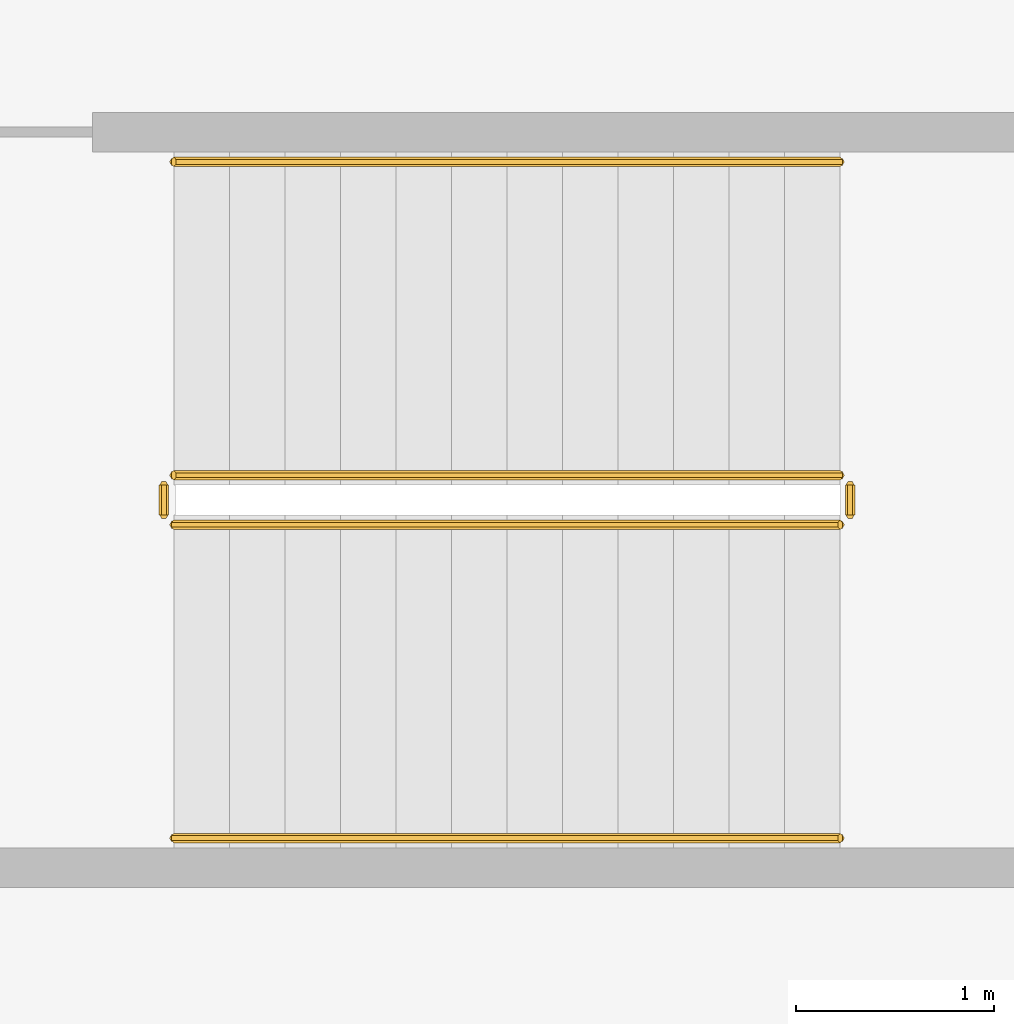
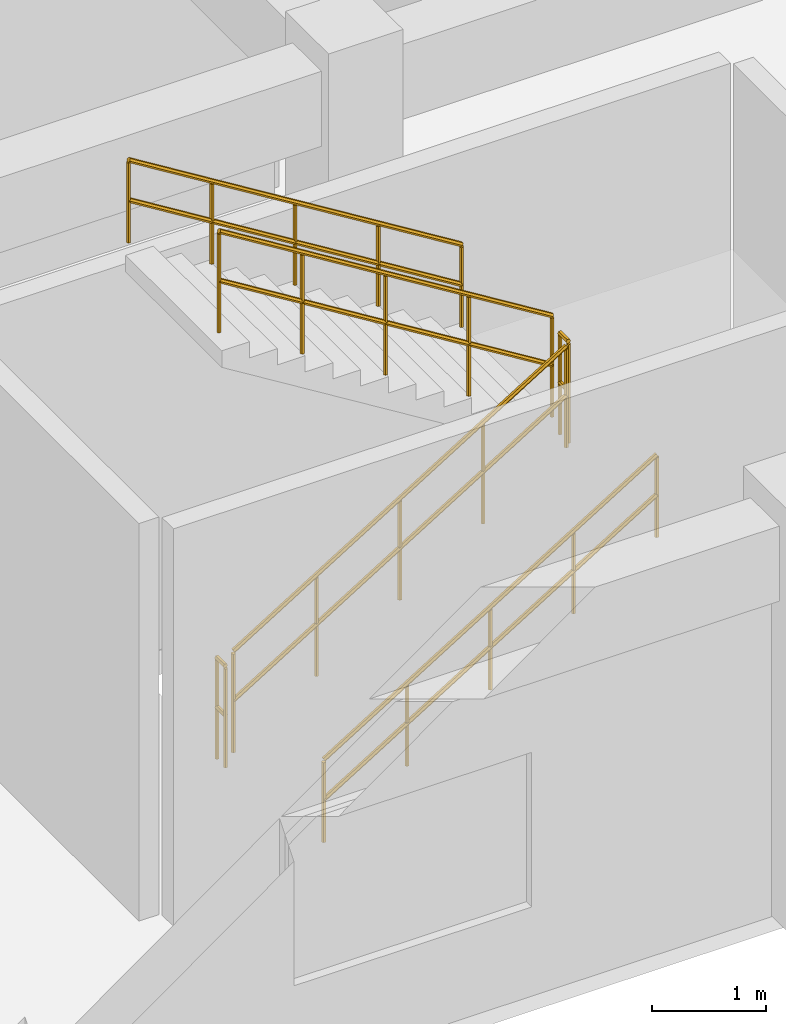
# One storey, part 47 of 53: 6 railings.
"""IFC4 building model written with IfcOpenShell, lengths in metres."""

from ifc_helpers import new_model, si_unit, direction, frame, origin, place, context, subcontext, project, spatial, polyline, outline, extrude, material, type_object, element, save


model = new_model("IFC4")

# Units and contexts
model_context = context("Model", 3, precision=1e-05, world=origin(), true_north=direction((0.0, 1.0)))
body_context = subcontext(model_context, "Body", "Model", "MODEL_VIEW")
ifc_project = project(units=[si_unit("LENGTHUNIT", "METRE"), si_unit("AREAUNIT", "SQUARE_METRE"), si_unit("VOLUMEUNIT", "CUBIC_METRE"), si_unit("PLANEANGLEUNIT", "RADIAN"), si_unit("MASSUNIT", "GRAM", prefix="KILO")], contexts=[model_context])

# Site, building, storey
site_placement = place(None, origin())
site = spatial("IfcSite", under=ifc_project, at=site_placement, CompositionType="ELEMENT")
building_placement = place(site_placement, origin())
building = spatial("IfcBuilding", under=site, at=building_placement, Name="Kelanora Arch Commons", CompositionType="ELEMENT")
storey_placement = place(building_placement, frame((0.0, 0.0, 9.0)))
storey = spatial("IfcBuildingStorey", under=building, at=storey_placement, Name="L02", CompositionType="ELEMENT", Elevation=9.0)

# Railings
ifc_material_1 = material(Name="Painted steel stair well guard", Category="steel")
railing_type_1 = type_object("IfcRailingType", Name="RAIL-STAIR-GRD", PredefinedType="GUARDRAIL", material=ifc_material_1)
railing_1_placement = place(storey_placement, frame((8.679931640625, 8.18994140625, 0.173095703125)))
element("IfcRailing", 1, at=railing_1_placement, inside=storey, type_object=railing_type_1, Name="L02 ST-M1 stair guard 1", PredefinedType="GUARDRAIL", context=body_context, shape_type="SweptSolid", body=[
    extrude(outline(polyline([(0.02392578125, 0.0), (0.011962890625, 0.020751953125), (-0.011962890625, 0.020751953125), (-0.02392578125, 0.0), (-0.011962890625, -0.020751953125), (0.011962890625, -0.020751953125), (0.02392578125, 0.0)])), frame((0.0, 0.0, 1.076171875), z_axis=(0.850623216509, 0.0, 0.525775754039), x_axis=(0.0, 1.0, 0.0)), (0.0, 0.0, 1.0), 3.9501953125),
    extrude(outline(polyline([(0.02392578125, 0.0), (0.011962890625, 0.020751953125), (-0.011962890625, 0.020751953125), (-0.02392578125, 0.0), (-0.011962890625, -0.020751953125), (0.011962890625, -0.020751953125), (0.02392578125, 0.0)])), frame((0.0, 0.0, 0.550048828125), z_axis=(0.850623216509, 0.0, 0.525775754039), x_axis=(0.0, 1.0, 0.0)), (0.0, 0.0, 1.0), 3.9501953125),
    extrude(outline(polyline([(0.02099609375, 0.0), (0.010498046875, 0.01806640625), (-0.010498046875, 0.01806640625), (-0.02099609375, 0.0), (-0.010498046875, -0.01806640625), (0.010498046875, -0.01806640625), (0.02099609375, 0.0)])), origin(), (0.0, 0.0, 1.0), 1.052001953125),
    extrude(outline(polyline([(0.02099609375, 0.0), (0.010498046875, 0.01806640625), (-0.010498046875, 0.01806640625), (-0.02099609375, 0.0), (-0.010498046875, -0.01806640625), (0.010498046875, -0.01806640625), (0.02099609375, 0.0)])), frame((0.840087890625, 0.0, 0.519287109375)), (0.0, 0.0, 1.0), 1.052001953125),
    extrude(outline(polyline([(0.02099609375, 0.0), (0.010498046875, 0.01806640625), (-0.010498046875, 0.01806640625), (-0.02099609375, 0.0), (-0.010498046875, -0.01806640625), (0.010498046875, -0.01806640625), (0.02099609375, 0.0)])), frame((1.68017578125, 0.0, 1.03857421875)), (0.0, 0.0, 1.0), 1.052001953125),
    extrude(outline(polyline([(0.02099609375, 0.0), (0.010498046875, 0.01806640625), (-0.010498046875, 0.01806640625), (-0.02099609375, 0.0), (-0.010498046875, -0.01806640625), (0.010498046875, -0.01806640625), (0.02099609375, 0.0)])), frame((2.52001953125, 0.0, 1.5576171875)), (0.0, 0.0, 1.0), 1.052001953125),
    extrude(outline(polyline([(0.02099609375, 0.0), (0.010498046875, 0.01806640625), (-0.010498046875, 0.01806640625), (-0.02099609375, 0.0), (-0.010498046875, -0.01806640625), (0.010498046875, -0.01806640625), (0.02099609375, 0.0)])), frame((3.360107421875, 0.0, 2.076904296875)), (0.0, 0.0, 1.0), 1.052001953125),
])
railing_2_placement = place(storey_placement, frame((12.090087890625, 8.239990234375, 2.25)))
element("IfcRailing", 2, at=railing_2_placement, inside=storey, type_object=railing_type_1, Name="L02 ST-M1 stair guard 2", PredefinedType="GUARDRAIL", context=body_context, shape_type="SweptSolid", body=[
    extrude(outline(polyline([(0.02392578125, 0.0), (0.011962890625, 0.020751953125), (-0.011962890625, 0.020751953125), (-0.02392578125, 0.0), (-0.011962890625, -0.020751953125), (0.011962890625, -0.020751953125), (0.02392578125, 0.0)])), frame((0.0, 0.0, 1.076171875), z_axis=(0.0, 1.0, 0.0), x_axis=(-1.0, 0.0, 0.0)), (0.0, 0.0, 1.0), 0.14990234375),
    extrude(outline(polyline([(0.02392578125, 0.0), (0.011962890625, 0.020751953125), (-0.011962890625, 0.020751953125), (-0.02392578125, 0.0), (-0.011962890625, -0.020751953125), (0.011962890625, -0.020751953125), (0.02392578125, 0.0)])), frame((0.0, 0.0, 0.550048828125), z_axis=(0.0, 1.0, 0.0), x_axis=(-1.0, 0.0, 0.0)), (0.0, 0.0, 1.0), 0.14990234375),
    extrude(outline(polyline([(0.02099609375, 0.0), (0.010498046875, 0.01806640625), (-0.010498046875, 0.01806640625), (-0.02099609375, 0.0), (-0.010498046875, -0.01806640625), (0.010498046875, -0.01806640625), (0.02099609375, 0.0)])), origin(), (0.0, 0.0, 1.0), 1.052001953125),
    extrude(outline(polyline([(0.02099609375, 0.0), (0.010498046875, 0.01806640625), (-0.010498046875, 0.01806640625), (-0.02099609375, 0.0), (-0.010498046875, -0.01806640625), (0.010498046875, -0.01806640625), (0.02099609375, 0.0)])), frame((0.0, 0.14990234375, 0.0)), (0.0, 0.0, 1.0), 1.052001953125),
])
railing_3_placement = place(storey_placement, frame((12.0400390625, 8.43994140625, 2.423095703125)))
element("IfcRailing", 3, at=railing_3_placement, inside=storey, type_object=railing_type_1, Name="L02 ST-M1 stair guard 3", PredefinedType="GUARDRAIL", context=body_context, shape_type="SweptSolid", body=[
    extrude(outline(polyline([(0.02392578125, 0.0), (0.011962890625, 0.020751953125), (-0.011962890625, 0.020751953125), (-0.02392578125, 0.0), (-0.011962890625, -0.020751953125), (0.011962890625, -0.020751953125), (0.02392578125, 0.0)])), frame((0.0, 0.0, 1.076171875), z_axis=(-0.850623216509, 0.0, 0.525775754039), x_axis=(0.0, -1.0, 0.0)), (0.0, 0.0, 1.0), 3.9501953125),
    extrude(outline(polyline([(0.02392578125, 0.0), (0.011962890625, 0.020751953125), (-0.011962890625, 0.020751953125), (-0.02392578125, 0.0), (-0.011962890625, -0.020751953125), (0.011962890625, -0.020751953125), (0.02392578125, 0.0)])), frame((0.0, 0.0, 0.550048828125), z_axis=(-0.850623216509, 0.0, 0.525775754039), x_axis=(0.0, -1.0, 0.0)), (0.0, 0.0, 1.0), 3.9501953125),
    extrude(outline(polyline([(0.02099609375, 0.0), (0.010498046875, 0.01806640625), (-0.010498046875, 0.01806640625), (-0.02099609375, 0.0), (-0.010498046875, -0.01806640625), (0.010498046875, -0.01806640625), (0.02099609375, 0.0)])), origin(), (0.0, 0.0, 1.0), 1.052001953125),
    extrude(outline(polyline([(0.02099609375, 0.0), (0.010498046875, 0.01806640625), (-0.010498046875, 0.01806640625), (-0.02099609375, 0.0), (-0.010498046875, -0.01806640625), (0.010498046875, -0.01806640625), (0.02099609375, 0.0)])), frame((-0.840087890625, 0.0, 0.519287109375)), (0.0, 0.0, 1.0), 1.052001953125),
    extrude(outline(polyline([(0.02099609375, 0.0), (0.010498046875, 0.01806640625), (-0.010498046875, 0.01806640625), (-0.02099609375, 0.0), (-0.010498046875, -0.01806640625), (0.010498046875, -0.01806640625), (0.02099609375, 0.0)])), frame((-1.68017578125, 0.0, 1.03857421875)), (0.0, 0.0, 1.0), 1.052001953125),
    extrude(outline(polyline([(0.02099609375, 0.0), (0.010498046875, 0.01806640625), (-0.010498046875, 0.01806640625), (-0.02099609375, 0.0), (-0.010498046875, -0.01806640625), (0.010498046875, -0.01806640625), (0.02099609375, 0.0)])), frame((-2.52001953125, 0.0, 1.5576171875)), (0.0, 0.0, 1.0), 1.052001953125),
    extrude(outline(polyline([(0.02099609375, 0.0), (0.010498046875, 0.01806640625), (-0.010498046875, 0.01806640625), (-0.02099609375, 0.0), (-0.010498046875, -0.01806640625), (0.010498046875, -0.01806640625), (0.02099609375, 0.0)])), frame((-3.360107421875, 0.0, 2.076904296875)), (0.0, 0.0, 1.0), 1.052001953125),
])
railing_4_placement = place(storey_placement, frame((8.6298828125, 8.239990234375, 0.0)))
element("IfcRailing", 4, at=railing_4_placement, inside=storey, type_object=railing_type_1, Name="L02 ST-M1 stair guard 4", PredefinedType="GUARDRAIL", context=body_context, shape_type="SweptSolid", body=[
    extrude(outline(polyline([(0.02392578125, 0.0), (0.011962890625, 0.020751953125), (-0.011962890625, 0.020751953125), (-0.02392578125, 0.0), (-0.011962890625, -0.020751953125), (0.011962890625, -0.020751953125), (0.02392578125, 0.0)])), frame((0.0, 0.0, 1.076171875), z_axis=(0.0, 1.0, 0.0), x_axis=(-1.0, 0.0, 0.0)), (0.0, 0.0, 1.0), 0.14990234375),
    extrude(outline(polyline([(0.02392578125, 0.0), (0.011962890625, 0.020751953125), (-0.011962890625, 0.020751953125), (-0.02392578125, 0.0), (-0.011962890625, -0.020751953125), (0.011962890625, -0.020751953125), (0.02392578125, 0.0)])), frame((0.0, 0.0, 0.550048828125), z_axis=(0.0, 1.0, 0.0), x_axis=(-1.0, 0.0, 0.0)), (0.0, 0.0, 1.0), 0.14990234375),
    extrude(outline(polyline([(0.02099609375, 0.0), (0.010498046875, 0.01806640625), (-0.010498046875, 0.01806640625), (-0.02099609375, 0.0), (-0.010498046875, -0.01806640625), (0.010498046875, -0.01806640625), (0.02099609375, 0.0)])), origin(), (0.0, 0.0, 1.0), 1.052001953125),
    extrude(outline(polyline([(0.02099609375, 0.0), (0.010498046875, 0.01806640625), (-0.010498046875, 0.01806640625), (-0.02099609375, 0.0), (-0.010498046875, -0.01806640625), (0.010498046875, -0.01806640625), (0.02099609375, 0.0)])), frame((0.0, 0.14990234375, 0.0)), (0.0, 0.0, 1.0), 1.052001953125),
])
ifc_material_2 = material(Name="Brushed stainless steel stair handrail", Category="steel")
railing_type_2 = type_object("IfcRailingType", Name="RAIL-STAIR-HND", PredefinedType="HANDRAIL", material=ifc_material_2)
railing_5_placement = place(storey_placement, frame((8.679931640625, 6.610107421875, 0.173095703125)))
element("IfcRailing", 5, at=railing_5_placement, inside=storey, type_object=railing_type_2, Name="L02 ST-M1 stair handrail 1", PredefinedType="HANDRAIL", context=body_context, shape_type="SweptSolid", body=[
    extrude(outline(polyline([(0.02392578125, 0.0), (0.011962890625, 0.020751953125), (-0.011962890625, 0.020751953125), (-0.02392578125, 0.0), (-0.011962890625, -0.020751953125), (0.011962890625, -0.020751953125), (0.02392578125, 0.0)])), frame((0.0, 0.0, 0.8759765625), z_axis=(0.850623216509, 0.0, 0.525775754039), x_axis=(0.0, 1.0, 0.0)), (0.0, 0.0, 1.0), 3.9501953125),
    extrude(outline(polyline([(0.02392578125, 0.0), (0.011962890625, 0.020751953125), (-0.011962890625, 0.020751953125), (-0.02392578125, 0.0), (-0.011962890625, -0.020751953125), (0.011962890625, -0.020751953125), (0.02392578125, 0.0)])), frame((0.0, 0.0, 0.449951171875), z_axis=(0.850623216509, 0.0, 0.525775754039), x_axis=(0.0, 1.0, 0.0)), (0.0, 0.0, 1.0), 3.9501953125),
    extrude(outline(polyline([(0.02099609375, 0.0), (0.010498046875, 0.01806640625), (-0.010498046875, 0.01806640625), (-0.02099609375, 0.0), (-0.010498046875, -0.01806640625), (0.010498046875, -0.01806640625), (0.02099609375, 0.0)])), origin(), (0.0, 0.0, 1.0), 0.851806640625),
    extrude(outline(polyline([(0.02099609375, 0.0), (0.010498046875, 0.01806640625), (-0.010498046875, 0.01806640625), (-0.02099609375, 0.0), (-0.010498046875, -0.01806640625), (0.010498046875, -0.01806640625), (0.02099609375, 0.0)])), frame((0.840087890625, 0.0, 0.519287109375)), (0.0, 0.0, 1.0), 0.851806640625),
    extrude(outline(polyline([(0.02099609375, 0.0), (0.010498046875, 0.01806640625), (-0.010498046875, 0.01806640625), (-0.02099609375, 0.0), (-0.010498046875, -0.01806640625), (0.010498046875, -0.01806640625), (0.02099609375, 0.0)])), frame((1.68017578125, 0.0, 1.03857421875)), (0.0, 0.0, 1.0), 0.851806640625),
    extrude(outline(polyline([(0.02099609375, 0.0), (0.010498046875, 0.01806640625), (-0.010498046875, 0.01806640625), (-0.02099609375, 0.0), (-0.010498046875, -0.01806640625), (0.010498046875, -0.01806640625), (0.02099609375, 0.0)])), frame((2.52001953125, 0.0, 1.5576171875)), (0.0, 0.0, 1.0), 0.851806640625),
    extrude(outline(polyline([(0.02099609375, 0.0), (0.010498046875, 0.01806640625), (-0.010498046875, 0.01806640625), (-0.02099609375, 0.0), (-0.010498046875, -0.01806640625), (0.010498046875, -0.01806640625), (0.02099609375, 0.0)])), frame((3.360107421875, 0.0, 2.076904296875)), (0.0, 0.0, 1.0), 0.851806640625),
])
railing_6_placement = place(storey_placement, frame((12.0400390625, 10.02001953125, 2.423095703125)))
element("IfcRailing", 6, at=railing_6_placement, inside=storey, type_object=railing_type_2, Name="L02 ST-M1 stair handrail 2", PredefinedType="HANDRAIL", context=body_context, shape_type="SweptSolid", body=[
    extrude(outline(polyline([(0.02392578125, 0.0), (0.011962890625, 0.020751953125), (-0.011962890625, 0.020751953125), (-0.02392578125, 0.0), (-0.011962890625, -0.020751953125), (0.011962890625, -0.020751953125), (0.02392578125, 0.0)])), frame((0.0, 0.0, 0.8759765625), z_axis=(-0.850623216509, 0.0, 0.525775754039), x_axis=(0.0, -1.0, 0.0)), (0.0, 0.0, 1.0), 3.9501953125),
    extrude(outline(polyline([(0.02392578125, 0.0), (0.011962890625, 0.020751953125), (-0.011962890625, 0.020751953125), (-0.02392578125, 0.0), (-0.011962890625, -0.020751953125), (0.011962890625, -0.020751953125), (0.02392578125, 0.0)])), frame((0.0, 0.0, 0.449951171875), z_axis=(-0.850623216509, 0.0, 0.525775754039), x_axis=(0.0, -1.0, 0.0)), (0.0, 0.0, 1.0), 3.9501953125),
    extrude(outline(polyline([(0.02099609375, 0.0), (0.010498046875, 0.01806640625), (-0.010498046875, 0.01806640625), (-0.02099609375, 0.0), (-0.010498046875, -0.01806640625), (0.010498046875, -0.01806640625), (0.02099609375, 0.0)])), origin(), (0.0, 0.0, 1.0), 0.851806640625),
    extrude(outline(polyline([(0.02099609375, 0.0), (0.010498046875, 0.01806640625), (-0.010498046875, 0.01806640625), (-0.02099609375, 0.0), (-0.010498046875, -0.01806640625), (0.010498046875, -0.01806640625), (0.02099609375, 0.0)])), frame((-0.840087890625, 0.0, 0.519287109375)), (0.0, 0.0, 1.0), 0.851806640625),
    extrude(outline(polyline([(0.02099609375, 0.0), (0.010498046875, 0.01806640625), (-0.010498046875, 0.01806640625), (-0.02099609375, 0.0), (-0.010498046875, -0.01806640625), (0.010498046875, -0.01806640625), (0.02099609375, 0.0)])), frame((-1.68017578125, 0.0, 1.03857421875)), (0.0, 0.0, 1.0), 0.851806640625),
    extrude(outline(polyline([(0.02099609375, 0.0), (0.010498046875, 0.01806640625), (-0.010498046875, 0.01806640625), (-0.02099609375, 0.0), (-0.010498046875, -0.01806640625), (0.010498046875, -0.01806640625), (0.02099609375, 0.0)])), frame((-2.52001953125, 0.0, 1.5576171875)), (0.0, 0.0, 1.0), 0.851806640625),
    extrude(outline(polyline([(0.02099609375, 0.0), (0.010498046875, 0.01806640625), (-0.010498046875, 0.01806640625), (-0.02099609375, 0.0), (-0.010498046875, -0.01806640625), (0.010498046875, -0.01806640625), (0.02099609375, 0.0)])), frame((-3.360107421875, 0.0, 2.076904296875)), (0.0, 0.0, 1.0), 0.851806640625),
])

save(model, "model.ifc")
